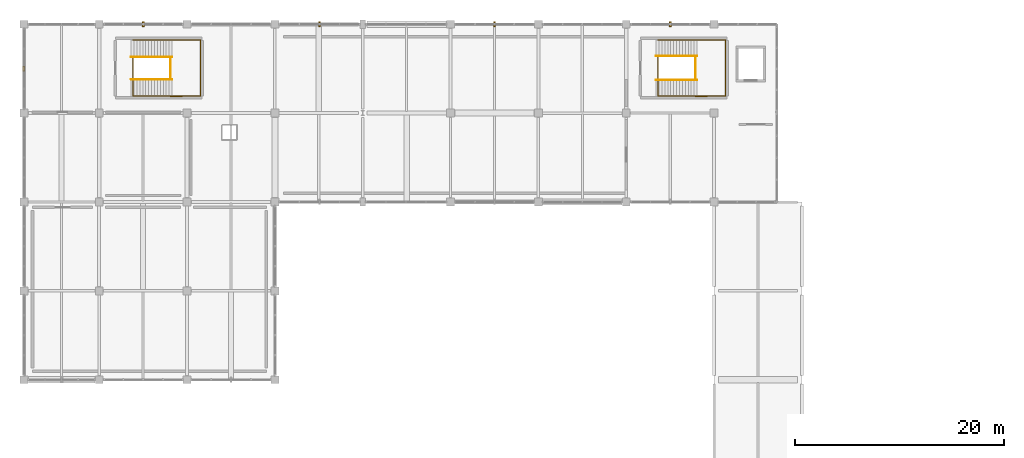
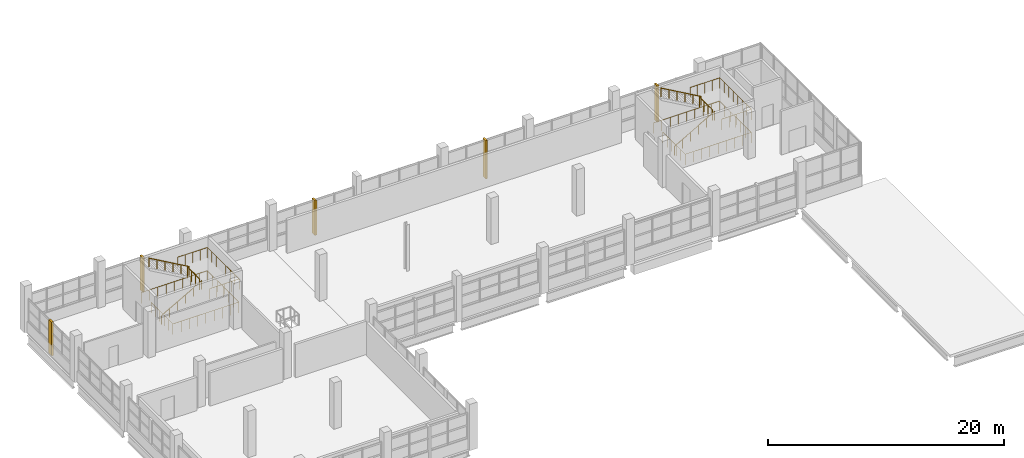
# One storey, part 116 of 117: 10 railings, 5 coverings.
"""IFC4 building model written with IfcOpenShell, lengths in metres."""

from ifc_helpers import new_model, si_unit, direction, frame, origin, origin_2d, place, context, subcontext, project, spatial, rectangle, circle, extrude, material, layer, layer_set, type_object, element, save


model = new_model("IFC4")

# Units and contexts
model_context = context("Model", 3, precision=1e-05, world=origin(), true_north=direction((0.0, 1.0)))
body_context = subcontext(model_context, "Body", "Model", "MODEL_VIEW")
ifc_project = project(units=[si_unit("LENGTHUNIT", "METRE"), si_unit("AREAUNIT", "SQUARE_METRE"), si_unit("VOLUMEUNIT", "CUBIC_METRE"), si_unit("PLANEANGLEUNIT", "RADIAN"), si_unit("MASSUNIT", "GRAM", prefix="KILO")], contexts=[model_context])

# Site, building, storey
site_placement = place(None, origin())
site = spatial("IfcSite", under=ifc_project, at=site_placement, CompositionType="ELEMENT")
building_placement = place(site_placement, origin())
building = spatial("IfcBuilding", under=site, at=building_placement, Name="Solvento Point Concert Hall", CompositionType="ELEMENT")
storey_placement = place(building_placement, frame((0.0, 0.0, 5.39990234375)))
storey = spatial("IfcBuildingStorey", under=building, at=storey_placement, Name="L01", CompositionType="ELEMENT", Elevation=5.39990234375)

# Coverings
ifc_material_1 = material(Name="Precast concrete C45/55", Category="concrete")
ifc_layer = layer(ifc_material_1, 0.179931640625)
ifc_layer_set = layer_set([ifc_layer], Name="Precast concrete C45/55")
covering_type = type_object("IfcCoveringType", Name="BriseSoleilFin_Precast", PredefinedType="CLADDING", material=ifc_layer_set)
covering_1_placement = place(storey_placement, frame((0.0, 131.75, 0.0), z_axis=(0.0, 0.0, 1.0), x_axis=(1.0, 0.0, 0.0)))
element("IfcCovering", 1, at=covering_1_placement, inside=storey, type_object=covering_type, Name="Precast concrete vertical solar fin BSF-01", PredefinedType="CLADDING", context=body_context, shape_type="SweptSolid", body=[
    extrude(rectangle(XDim=0.179931640625, YDim=0.47998046875, at=origin_2d()), origin(), (0.0, 0.0, 1.0), 3.488037109375),
])
covering_2_placement = place(storey_placement, frame((11.39990234375, 136.0, 0.000244140625), z_axis=(0.0, 0.0, 1.0), x_axis=(1.0, 0.0, 0.0)))
element("IfcCovering", 2, at=covering_2_placement, inside=storey, type_object=covering_type, Name="Precast concrete vertical solar fin BSF-01", PredefinedType="CLADDING", context=body_context, shape_type="SweptSolid", body=[
    extrude(rectangle(XDim=0.179931640625, YDim=0.47998046875, at=origin_2d()), origin(), (0.0, 0.0, 1.0), 3.5869140625),
])
covering_3_placement = place(storey_placement, frame((28.262451171875, 136.0, 0.0), z_axis=(0.0, 0.0, 1.0), x_axis=(1.0, 0.0, 0.0)))
element("IfcCovering", 3, at=covering_3_placement, inside=storey, type_object=covering_type, Name="Precast concrete vertical solar fin BSF-01", PredefinedType="CLADDING", context=body_context, shape_type="SweptSolid", body=[
    extrude(rectangle(XDim=0.179931640625, YDim=0.47998046875, at=origin_2d()), origin(), (0.0, 0.0, 1.0), 3.593994140625),
])
covering_4_placement = place(storey_placement, frame((45.0, 136.0, 0.0), z_axis=(0.0, 0.0, 1.0), x_axis=(1.0, 0.0, 0.0)))
element("IfcCovering", 4, at=covering_4_placement, inside=storey, type_object=covering_type, Name="Precast concrete vertical solar fin BSF-01", PredefinedType="CLADDING", context=body_context, shape_type="SweptSolid", body=[
    extrude(rectangle(XDim=0.179931640625, YDim=0.47998046875, at=origin_2d()), origin(), (0.0, 0.0, 1.0), 3.965087890625),
])
covering_5_placement = place(storey_placement, frame((61.800048828125, 136.0, 0.0), z_axis=(0.0, 0.0, 1.0), x_axis=(1.0, 0.0, 0.0)))
element("IfcCovering", 5, at=covering_5_placement, inside=storey, type_object=covering_type, Name="Precast concrete vertical solar fin BSF-01", PredefinedType="CLADDING", context=body_context, shape_type="SweptSolid", body=[
    extrude(rectangle(XDim=0.179931640625, YDim=0.47998046875, at=origin_2d()), origin(), (0.0, 0.0, 1.0), 3.743896484375),
])

# Railings
ifc_material_2 = material(Name="Brushed Stainless Steel Balustrade", Category="steel")
railing_type_1 = type_object("IfcRailingType", Name="StairHandrail_915", PredefinedType="HANDRAIL", material=ifc_material_2)
railing_1_placement = place(storey_placement, frame((60.449951171875, 130.64990234375, 0.16015625)))
element("IfcRailing", 6, at=railing_1_placement, inside=storey, type_object=railing_type_1, Name="Stair handrail HR-01 ST-04 L01 F1", PredefinedType="HANDRAIL", context=body_context, shape_type="SweptSolid", body=[
    extrude(circle(Radius=0.0224609375, at=origin_2d()), frame((0.0, 0.0, 0.892578125), z_axis=(0.86825312469, 0.0, 0.496121468458), x_axis=(0.0, 1.0, 0.0)), (0.0, 0.0, 1.0), 4.514892578125),
    extrude(circle(Radius=0.01904296875, at=origin_2d()), origin(), (0.0, 0.0, 1.0), 0.8701171875),
    extrude(circle(Radius=0.01904296875, at=origin_2d()), frame((0.783935546875, 0.0, 0.447998046875)), (0.0, 0.0, 1.0), 0.8701171875),
    extrude(circle(Radius=0.01904296875, at=origin_2d()), frame((1.568115234375, 0.0, 0.89599609375)), (0.0, 0.0, 1.0), 0.8701171875),
    extrude(circle(Radius=0.01904296875, at=origin_2d()), frame((2.35205078125, 0.0, 1.343994140625)), (0.0, 0.0, 1.0), 0.8701171875),
    extrude(circle(Radius=0.01904296875, at=origin_2d()), frame((3.13623046875, 0.0, 1.7919921875)), (0.0, 0.0, 1.0), 0.8701171875),
    extrude(circle(Radius=0.01904296875, at=origin_2d()), frame((3.920166015625, 0.0, 2.239990234375)), (0.0, 0.0, 1.0), 0.8701171875),
])
railing_2_placement = place(storey_placement, frame((64.3701171875, 132.949951171875, 2.56005859375)))
element("IfcRailing", 7, at=railing_2_placement, inside=storey, type_object=railing_type_1, Name="Stair handrail HR-01 ST-04 L01 F2", PredefinedType="HANDRAIL", context=body_context, shape_type="SweptSolid", body=[
    extrude(circle(Radius=0.0224609375, at=origin_2d()), frame((0.0, 0.0, 0.892578125), z_axis=(-0.86825312469, 0.0, 0.496121468458), x_axis=(0.0, -1.0, 0.0)), (0.0, 0.0, 1.0), 4.514892578125),
    extrude(circle(Radius=0.01904296875, at=origin_2d()), origin(), (0.0, 0.0, 1.0), 0.8701171875),
    extrude(circle(Radius=0.01904296875, at=origin_2d()), frame((-0.783935546875, 0.0, 0.447998046875)), (0.0, 0.0, 1.0), 0.8701171875),
    extrude(circle(Radius=0.01904296875, at=origin_2d()), frame((-1.568115234375, 0.0, 0.89599609375)), (0.0, 0.0, 1.0), 0.8701171875),
    extrude(circle(Radius=0.01904296875, at=origin_2d()), frame((-2.35205078125, 0.0, 1.343994140625)), (0.0, 0.0, 1.0), 0.8701171875),
    extrude(circle(Radius=0.01904296875, at=origin_2d()), frame((-3.13623046875, 0.0, 1.7919921875)), (0.0, 0.0, 1.0), 0.8701171875),
    extrude(circle(Radius=0.01904296875, at=origin_2d()), frame((-3.920166015625, 0.0, 2.239990234375)), (0.0, 0.0, 1.0), 0.8701171875),
])
railing_3_placement = place(storey_placement, frame((10.25, 130.72998046875, 0.16015625)))
element("IfcRailing", 8, at=railing_3_placement, inside=storey, type_object=railing_type_1, Name="Stair handrail HR-01 ST-05 L01 F1", PredefinedType="HANDRAIL", context=body_context, shape_type="SweptSolid", body=[
    extrude(circle(Radius=0.0224609375, at=origin_2d()), frame((0.0, 0.0, 0.892578125), z_axis=(0.868239814368, 0.0, 0.496144761885), x_axis=(0.0, 1.0, 0.0)), (0.0, 0.0, 1.0), 4.514892578125),
    extrude(circle(Radius=0.01904296875, at=origin_2d()), origin(), (0.0, 0.0, 1.0), 0.8701171875),
    extrude(circle(Radius=0.01904296875, at=origin_2d()), frame((0.783935546875, 0.0, 0.447998046875)), (0.0, 0.0, 1.0), 0.8701171875),
    extrude(circle(Radius=0.01904296875, at=origin_2d()), frame((1.56787109375, 0.0, 0.89599609375)), (0.0, 0.0, 1.0), 0.8701171875),
    extrude(circle(Radius=0.01904296875, at=origin_2d()), frame((2.35205078125, 0.0, 1.343994140625)), (0.0, 0.0, 1.0), 0.8701171875),
    extrude(circle(Radius=0.01904296875, at=origin_2d()), frame((3.135986328125, 0.0, 1.7919921875)), (0.0, 0.0, 1.0), 0.8701171875),
    extrude(circle(Radius=0.01904296875, at=origin_2d()), frame((3.919921875, 0.0, 2.239990234375)), (0.0, 0.0, 1.0), 0.8701171875),
])
railing_4_placement = place(storey_placement, frame((14.169921875, 132.8701171875, 2.56005859375)))
element("IfcRailing", 9, at=railing_4_placement, inside=storey, type_object=railing_type_1, Name="Stair handrail HR-01 ST-05 L01 F2", PredefinedType="HANDRAIL", context=body_context, shape_type="SweptSolid", body=[
    extrude(circle(Radius=0.0224609375, at=origin_2d()), frame((0.0, 0.0, 0.892578125), z_axis=(-0.868239814368, 0.0, 0.496144761885), x_axis=(0.0, -1.0, 0.0)), (0.0, 0.0, 1.0), 4.514892578125),
    extrude(circle(Radius=0.01904296875, at=origin_2d()), origin(), (0.0, 0.0, 1.0), 0.8701171875),
    extrude(circle(Radius=0.01904296875, at=origin_2d()), frame((-0.783935546875, 0.0, 0.447998046875)), (0.0, 0.0, 1.0), 0.8701171875),
    extrude(circle(Radius=0.01904296875, at=origin_2d()), frame((-1.56787109375, 0.0, 0.89599609375)), (0.0, 0.0, 1.0), 0.8701171875),
    extrude(circle(Radius=0.01904296875, at=origin_2d()), frame((-2.35205078125, 0.0, 1.343994140625)), (0.0, 0.0, 1.0), 0.8701171875),
    extrude(circle(Radius=0.01904296875, at=origin_2d()), frame((-3.135986328125, 0.0, 1.7919921875)), (0.0, 0.0, 1.0), 0.8701171875),
    extrude(circle(Radius=0.01904296875, at=origin_2d()), frame((-3.919921875, 0.0, 2.239990234375)), (0.0, 0.0, 1.0), 0.8701171875),
])
ifc_material_3 = material(Name="Brushed Stainless Steel Balustrade", Category="steel")
railing_type_2 = type_object("IfcRailingType", Name="StairWellGuard_1100", PredefinedType="BALUSTRADE", material=ifc_material_3)
railing_5_placement = place(storey_placement, frame((60.6201171875, 132.89990234375, 0.0)))
element("IfcRailing", 10, at=railing_5_placement, inside=storey, type_object=railing_type_2, Name="Stairwell guard GR-02 ST-04 L01", PredefinedType="BALUSTRADE", context=body_context, shape_type="SweptSolid", body=[
    extrude(circle(Radius=0.02392578125, at=origin_2d()), frame((0.0, 0.0, 1.09619140625), z_axis=(0.0, -1.0, 0.0), x_axis=(1.0, 0.0, 0.0)), (0.0, 0.0, 1.0), 3.77978515625),
    extrude(circle(Radius=0.02392578125, at=origin_2d()), frame((0.0, -3.77978515625, 1.09619140625), z_axis=(1.0, 0.0, 0.0), x_axis=(0.0, 1.0, 0.0)), (0.0, 0.0, 1.0), 6.4599609375),
    extrude(circle(Radius=0.02392578125, at=origin_2d()), frame((6.4599609375, -3.77978515625, 1.09619140625), z_axis=(0.0, 1.0, 0.0), x_axis=(-1.0, 0.0, 0.0)), (0.0, 0.0, 1.0), 5.35986328125),
    extrude(circle(Radius=0.02392578125, at=origin_2d()), frame((6.4599609375, 1.580078125, 1.09619140625), z_axis=(-1.0, 0.0, 0.0), x_axis=(0.0, -1.0, 0.0)), (0.0, 0.0, 1.0), 6.4599609375),
    extrude(circle(Radius=0.02392578125, at=origin_2d()), frame((0.0, 1.580078125, 1.09619140625), z_axis=(0.0, 1.0, 0.0), x_axis=(-1.0, 0.0, 0.0)), (0.0, 0.0, 1.0), 0.02001953125),
    extrude(circle(Radius=0.02099609375, at=origin_2d()), origin(), (0.0, 0.0, 1.0), 1.072021484375),
    extrude(circle(Radius=0.02099609375, at=origin_2d()), frame((0.0, -0.755859375, 0.0)), (0.0, 0.0, 1.0), 1.072021484375),
    extrude(circle(Radius=0.02099609375, at=origin_2d()), frame((0.0, -1.511962890625, 0.0)), (0.0, 0.0, 1.0), 1.072021484375),
    extrude(circle(Radius=0.02099609375, at=origin_2d()), frame((0.0, -2.267822265625, 0.0)), (0.0, 0.0, 1.0), 1.072021484375),
    extrude(circle(Radius=0.02099609375, at=origin_2d()), frame((0.0, -3.02392578125, 0.0)), (0.0, 0.0, 1.0), 1.072021484375),
    extrude(circle(Radius=0.02099609375, at=origin_2d()), frame((0.0, -3.77978515625, 0.0)), (0.0, 0.0, 1.0), 1.072021484375),
    extrude(circle(Radius=0.02099609375, at=origin_2d()), frame((0.8076171875, -3.77978515625, 0.0)), (0.0, 0.0, 1.0), 1.072021484375),
    extrude(circle(Radius=0.02099609375, at=origin_2d()), frame((1.614990234375, -3.77978515625, 0.0)), (0.0, 0.0, 1.0), 1.072021484375),
    extrude(circle(Radius=0.02099609375, at=origin_2d()), frame((2.42236328125, -3.77978515625, 0.0)), (0.0, 0.0, 1.0), 1.072021484375),
    extrude(circle(Radius=0.02099609375, at=origin_2d()), frame((3.22998046875, -3.77978515625, 0.0)), (0.0, 0.0, 1.0), 1.072021484375),
    extrude(circle(Radius=0.02099609375, at=origin_2d()), frame((4.03759765625, -3.77978515625, 0.0)), (0.0, 0.0, 1.0), 1.072021484375),
    extrude(circle(Radius=0.02099609375, at=origin_2d()), frame((4.844970703125, -3.77978515625, 0.0)), (0.0, 0.0, 1.0), 1.072021484375),
    extrude(circle(Radius=0.02099609375, at=origin_2d()), frame((5.65234375, -3.77978515625, 0.0)), (0.0, 0.0, 1.0), 1.072021484375),
    extrude(circle(Radius=0.02099609375, at=origin_2d()), frame((6.4599609375, -3.77978515625, 0.0)), (0.0, 0.0, 1.0), 1.072021484375),
    extrude(circle(Radius=0.02099609375, at=origin_2d()), frame((6.4599609375, -2.886474609375, 0.0)), (0.0, 0.0, 1.0), 1.072021484375),
    extrude(circle(Radius=0.02099609375, at=origin_2d()), frame((6.4599609375, -1.9931640625, 0.0)), (0.0, 0.0, 1.0), 1.072021484375),
    extrude(circle(Radius=0.02099609375, at=origin_2d()), frame((6.4599609375, -1.099853515625, 0.0)), (0.0, 0.0, 1.0), 1.072021484375),
    extrude(circle(Radius=0.02099609375, at=origin_2d()), frame((6.4599609375, -0.20654296875, 0.0)), (0.0, 0.0, 1.0), 1.072021484375),
    extrude(circle(Radius=0.02099609375, at=origin_2d()), frame((6.4599609375, 0.686767578125, 0.0)), (0.0, 0.0, 1.0), 1.072021484375),
    extrude(circle(Radius=0.02099609375, at=origin_2d()), frame((6.4599609375, 1.580078125, 0.0)), (0.0, 0.0, 1.0), 1.072021484375),
    extrude(circle(Radius=0.02099609375, at=origin_2d()), frame((5.65234375, 1.580078125, 0.0)), (0.0, 0.0, 1.0), 1.072021484375),
    extrude(circle(Radius=0.02099609375, at=origin_2d()), frame((4.844970703125, 1.580078125, 0.0)), (0.0, 0.0, 1.0), 1.072021484375),
    extrude(circle(Radius=0.02099609375, at=origin_2d()), frame((4.03759765625, 1.580078125, 0.0)), (0.0, 0.0, 1.0), 1.072021484375),
    extrude(circle(Radius=0.02099609375, at=origin_2d()), frame((3.22998046875, 1.580078125, 0.0)), (0.0, 0.0, 1.0), 1.072021484375),
    extrude(circle(Radius=0.02099609375, at=origin_2d()), frame((2.42236328125, 1.580078125, 0.0)), (0.0, 0.0, 1.0), 1.072021484375),
    extrude(circle(Radius=0.02099609375, at=origin_2d()), frame((1.614990234375, 1.580078125, 0.0)), (0.0, 0.0, 1.0), 1.072021484375),
    extrude(circle(Radius=0.02099609375, at=origin_2d()), frame((0.8076171875, 1.580078125, 0.0)), (0.0, 0.0, 1.0), 1.072021484375),
    extrude(circle(Radius=0.02099609375, at=origin_2d()), frame((0.0, 1.580078125, 0.0)), (0.0, 0.0, 1.0), 1.072021484375),
    extrude(circle(Radius=0.02099609375, at=origin_2d()), frame((0.0, 1.60009765625, 0.0)), (0.0, 0.0, 1.0), 1.072021484375),
])
railing_6_placement = place(storey_placement, frame((64.199951171875, 129.10009765625, 2.400146484375)))
element("IfcRailing", 11, at=railing_6_placement, inside=storey, type_object=railing_type_2, Name="Half-landing perimeter guard GR-02 ST-04 L01", PredefinedType="BALUSTRADE", context=body_context, shape_type="SweptSolid", body=[
    extrude(circle(Radius=0.02392578125, at=origin_2d()), frame((0.0, 0.0, 1.09619140625), z_axis=(0.999976175575, 0.006902773499, 0.0), x_axis=(-0.006902773499, 0.999976175575, 0.0)), (0.0, 0.0, 1.0), 2.900146484375),
    extrude(circle(Radius=0.02392578125, at=origin_2d()), frame((2.900146484375, 0.02001953125, 1.09619140625), z_axis=(0.0, 1.0, 0.0), x_axis=(-1.0, 0.0, 0.0)), (0.0, 0.0, 1.0), 5.35986328125),
    extrude(circle(Radius=0.02392578125, at=origin_2d()), frame((2.900146484375, 5.3798828125, 1.09619140625), z_axis=(-0.999976175575, 0.006902773499, 0.0), x_axis=(-0.006902773499, -0.999976175575, 0.0)), (0.0, 0.0, 1.0), 2.900146484375),
    extrude(circle(Radius=0.02099609375, at=origin_2d()), origin(), (0.0, 0.0, 1.0), 1.072021484375),
    extrude(circle(Radius=0.02099609375, at=origin_2d()), frame((0.72509765625, 0.0048828125, 0.0)), (0.0, 0.0, 1.0), 1.072021484375),
    extrude(circle(Radius=0.02099609375, at=origin_2d()), frame((1.4501953125, 0.010009765625, 0.0)), (0.0, 0.0, 1.0), 1.072021484375),
    extrude(circle(Radius=0.02099609375, at=origin_2d()), frame((2.175048828125, 0.01513671875, 0.0)), (0.0, 0.0, 1.0), 1.072021484375),
    extrude(circle(Radius=0.02099609375, at=origin_2d()), frame((2.900146484375, 0.02001953125, 0.0)), (0.0, 0.0, 1.0), 1.072021484375),
    extrude(circle(Radius=0.02099609375, at=origin_2d()), frame((2.900146484375, 0.78564453125, 0.0)), (0.0, 0.0, 1.0), 1.072021484375),
    extrude(circle(Radius=0.02099609375, at=origin_2d()), frame((2.900146484375, 1.551513671875, 0.0)), (0.0, 0.0, 1.0), 1.072021484375),
    extrude(circle(Radius=0.02099609375, at=origin_2d()), frame((2.900146484375, 2.317138671875, 0.0)), (0.0, 0.0, 1.0), 1.072021484375),
    extrude(circle(Radius=0.02099609375, at=origin_2d()), frame((2.900146484375, 3.082763671875, 0.0)), (0.0, 0.0, 1.0), 1.072021484375),
    extrude(circle(Radius=0.02099609375, at=origin_2d()), frame((2.900146484375, 3.848388671875, 0.0)), (0.0, 0.0, 1.0), 1.072021484375),
    extrude(circle(Radius=0.02099609375, at=origin_2d()), frame((2.900146484375, 4.6142578125, 0.0)), (0.0, 0.0, 1.0), 1.072021484375),
    extrude(circle(Radius=0.02099609375, at=origin_2d()), frame((2.900146484375, 5.3798828125, 0.0)), (0.0, 0.0, 1.0), 1.072021484375),
    extrude(circle(Radius=0.02099609375, at=origin_2d()), frame((2.175048828125, 5.384765625, 0.0)), (0.0, 0.0, 1.0), 1.072021484375),
    extrude(circle(Radius=0.02099609375, at=origin_2d()), frame((1.4501953125, 5.389892578125, 0.0)), (0.0, 0.0, 1.0), 1.072021484375),
    extrude(circle(Radius=0.02099609375, at=origin_2d()), frame((0.72509765625, 5.39501953125, 0.0)), (0.0, 0.0, 1.0), 1.072021484375),
    extrude(circle(Radius=0.02099609375, at=origin_2d()), frame((0.0, 5.39990234375, 0.0)), (0.0, 0.0, 1.0), 1.072021484375),
])
railing_7_placement = place(storey_placement, frame((64.199951171875, 130.699951171875, 2.400146484375)))
element("IfcRailing", 12, at=railing_7_placement, inside=storey, type_object=railing_type_2, Name="Half-landing slot guard GR-02 ST-04 L01", PredefinedType="BALUSTRADE", context=body_context, shape_type="SweptSolid", body=[
    extrude(circle(Radius=0.02392578125, at=origin_2d()), frame((0.0, 0.0, 1.09619140625), z_axis=(0.0, 1.0, 0.0), x_axis=(-1.0, 0.0, 0.0)), (0.0, 0.0, 1.0), 2.199951171875),
    extrude(circle(Radius=0.02099609375, at=origin_2d()), origin(), (0.0, 0.0, 1.0), 1.072021484375),
    extrude(circle(Radius=0.02099609375, at=origin_2d()), frame((0.0, 0.7333984375, 0.0)), (0.0, 0.0, 1.0), 1.072021484375),
    extrude(circle(Radius=0.02099609375, at=origin_2d()), frame((0.0, 1.466552734375, 0.0)), (0.0, 0.0, 1.0), 1.072021484375),
    extrude(circle(Radius=0.02099609375, at=origin_2d()), frame((0.0, 2.199951171875, 0.0)), (0.0, 0.0, 1.0), 1.072021484375),
])
railing_8_placement = place(storey_placement, frame((10.419921875, 132.820068359375, 0.0)))
element("IfcRailing", 13, at=railing_8_placement, inside=storey, type_object=railing_type_2, Name="Stairwell guard GR-02 ST-05 L01", PredefinedType="BALUSTRADE", context=body_context, shape_type="SweptSolid", body=[
    extrude(circle(Radius=0.02392578125, at=origin_2d()), frame((0.0, 0.0, 1.09619140625), z_axis=(0.0, -1.0, 0.0), x_axis=(1.0, 0.0, 0.0)), (0.0, 0.0, 1.0), 3.699951171875),
    extrude(circle(Radius=0.02392578125, at=origin_2d()), frame((0.0, -3.699951171875, 1.09619140625), z_axis=(1.0, 0.0, 0.0), x_axis=(0.0, 1.0, 0.0)), (0.0, 0.0, 1.0), 6.4599609375),
    extrude(circle(Radius=0.02392578125, at=origin_2d()), frame((6.4599609375, -3.699951171875, 1.09619140625), z_axis=(0.0, 1.0, 0.0), x_axis=(-1.0, 0.0, 0.0)), (0.0, 0.0, 1.0), 5.35986328125),
    extrude(circle(Radius=0.02392578125, at=origin_2d()), frame((6.4599609375, 1.659912109375, 1.09619140625), z_axis=(-1.0, 0.0, 0.0), x_axis=(0.0, -1.0, 0.0)), (0.0, 0.0, 1.0), 6.4599609375),
    extrude(circle(Radius=0.02392578125, at=origin_2d()), frame((0.0, 1.659912109375, 1.09619140625), z_axis=(0.0, 1.0, 0.0), x_axis=(-1.0, 0.0, 0.0)), (0.0, 0.0, 1.0), 0.02001953125),
    extrude(circle(Radius=0.02099609375, at=origin_2d()), origin(), (0.0, 0.0, 1.0), 1.072021484375),
    extrude(circle(Radius=0.02099609375, at=origin_2d()), frame((0.0, -0.739990234375, 0.0)), (0.0, 0.0, 1.0), 1.072021484375),
    extrude(circle(Radius=0.02099609375, at=origin_2d()), frame((0.0, -1.47998046875, 0.0)), (0.0, 0.0, 1.0), 1.072021484375),
    extrude(circle(Radius=0.02099609375, at=origin_2d()), frame((0.0, -2.219970703125, 0.0)), (0.0, 0.0, 1.0), 1.072021484375),
    extrude(circle(Radius=0.02099609375, at=origin_2d()), frame((0.0, -2.9599609375, 0.0)), (0.0, 0.0, 1.0), 1.072021484375),
    extrude(circle(Radius=0.02099609375, at=origin_2d()), frame((0.0, -3.699951171875, 0.0)), (0.0, 0.0, 1.0), 1.072021484375),
    extrude(circle(Radius=0.02099609375, at=origin_2d()), frame((0.8076171875, -3.699951171875, 0.0)), (0.0, 0.0, 1.0), 1.072021484375),
    extrude(circle(Radius=0.02099609375, at=origin_2d()), frame((1.614990234375, -3.699951171875, 0.0)), (0.0, 0.0, 1.0), 1.072021484375),
    extrude(circle(Radius=0.02099609375, at=origin_2d()), frame((2.42236328125, -3.699951171875, 0.0)), (0.0, 0.0, 1.0), 1.072021484375),
    extrude(circle(Radius=0.02099609375, at=origin_2d()), frame((3.22998046875, -3.699951171875, 0.0)), (0.0, 0.0, 1.0), 1.072021484375),
    extrude(circle(Radius=0.02099609375, at=origin_2d()), frame((4.03759765625, -3.699951171875, 0.0)), (0.0, 0.0, 1.0), 1.072021484375),
    extrude(circle(Radius=0.02099609375, at=origin_2d()), frame((4.844970703125, -3.699951171875, 0.0)), (0.0, 0.0, 1.0), 1.072021484375),
    extrude(circle(Radius=0.02099609375, at=origin_2d()), frame((5.65234375, -3.699951171875, 0.0)), (0.0, 0.0, 1.0), 1.072021484375),
    extrude(circle(Radius=0.02099609375, at=origin_2d()), frame((6.4599609375, -3.699951171875, 0.0)), (0.0, 0.0, 1.0), 1.072021484375),
    extrude(circle(Radius=0.02099609375, at=origin_2d()), frame((6.4599609375, -2.806640625, 0.0)), (0.0, 0.0, 1.0), 1.072021484375),
    extrude(circle(Radius=0.02099609375, at=origin_2d()), frame((6.4599609375, -1.913330078125, 0.0)), (0.0, 0.0, 1.0), 1.072021484375),
    extrude(circle(Radius=0.02099609375, at=origin_2d()), frame((6.4599609375, -1.02001953125, 0.0)), (0.0, 0.0, 1.0), 1.072021484375),
    extrude(circle(Radius=0.02099609375, at=origin_2d()), frame((6.4599609375, -0.126708984375, 0.0)), (0.0, 0.0, 1.0), 1.072021484375),
    extrude(circle(Radius=0.02099609375, at=origin_2d()), frame((6.4599609375, 0.7666015625, 0.0)), (0.0, 0.0, 1.0), 1.072021484375),
    extrude(circle(Radius=0.02099609375, at=origin_2d()), frame((6.4599609375, 1.659912109375, 0.0)), (0.0, 0.0, 1.0), 1.072021484375),
    extrude(circle(Radius=0.02099609375, at=origin_2d()), frame((5.65234375, 1.659912109375, 0.0)), (0.0, 0.0, 1.0), 1.072021484375),
    extrude(circle(Radius=0.02099609375, at=origin_2d()), frame((4.844970703125, 1.659912109375, 0.0)), (0.0, 0.0, 1.0), 1.072021484375),
    extrude(circle(Radius=0.02099609375, at=origin_2d()), frame((4.03759765625, 1.659912109375, 0.0)), (0.0, 0.0, 1.0), 1.072021484375),
    extrude(circle(Radius=0.02099609375, at=origin_2d()), frame((3.22998046875, 1.659912109375, 0.0)), (0.0, 0.0, 1.0), 1.072021484375),
    extrude(circle(Radius=0.02099609375, at=origin_2d()), frame((2.42236328125, 1.659912109375, 0.0)), (0.0, 0.0, 1.0), 1.072021484375),
    extrude(circle(Radius=0.02099609375, at=origin_2d()), frame((1.614990234375, 1.659912109375, 0.0)), (0.0, 0.0, 1.0), 1.072021484375),
    extrude(circle(Radius=0.02099609375, at=origin_2d()), frame((0.8076171875, 1.659912109375, 0.0)), (0.0, 0.0, 1.0), 1.072021484375),
    extrude(circle(Radius=0.02099609375, at=origin_2d()), frame((0.0, 1.659912109375, 0.0)), (0.0, 0.0, 1.0), 1.072021484375),
    extrude(circle(Radius=0.02099609375, at=origin_2d()), frame((0.0, 1.679931640625, 0.0)), (0.0, 0.0, 1.0), 1.072021484375),
])
railing_9_placement = place(storey_placement, frame((14.0, 129.10009765625, 2.400146484375)))
element("IfcRailing", 14, at=railing_9_placement, inside=storey, type_object=railing_type_2, Name="Half-landing perimeter guard GR-02 ST-05 L01", PredefinedType="BALUSTRADE", context=body_context, shape_type="SweptSolid", body=[
    extrude(circle(Radius=0.02392578125, at=origin_2d()), frame((0.0, 0.0, 1.09619140625), z_axis=(0.999976171564, 0.006903354611, 0.0), x_axis=(-0.006903354611, 0.999976171564, 0.0)), (0.0, 0.0, 1.0), 2.89990234375),
    extrude(circle(Radius=0.02392578125, at=origin_2d()), frame((2.89990234375, 0.02001953125, 1.09619140625), z_axis=(0.0, 1.0, 0.0), x_axis=(-1.0, 0.0, 0.0)), (0.0, 0.0, 1.0), 5.35986328125),
    extrude(circle(Radius=0.02392578125, at=origin_2d()), frame((2.89990234375, 5.3798828125, 1.09619140625), z_axis=(-0.999976171564, 0.006903354611, 0.0), x_axis=(-0.006903354611, -0.999976171564, 0.0)), (0.0, 0.0, 1.0), 2.89990234375),
    extrude(circle(Radius=0.02099609375, at=origin_2d()), origin(), (0.0, 0.0, 1.0), 1.072021484375),
    extrude(circle(Radius=0.02099609375, at=origin_2d()), frame((0.72509765625, 0.0048828125, 0.0)), (0.0, 0.0, 1.0), 1.072021484375),
    extrude(circle(Radius=0.02099609375, at=origin_2d()), frame((1.449951171875, 0.010009765625, 0.0)), (0.0, 0.0, 1.0), 1.072021484375),
    extrude(circle(Radius=0.02099609375, at=origin_2d()), frame((2.1748046875, 0.01513671875, 0.0)), (0.0, 0.0, 1.0), 1.072021484375),
    extrude(circle(Radius=0.02099609375, at=origin_2d()), frame((2.89990234375, 0.02001953125, 0.0)), (0.0, 0.0, 1.0), 1.072021484375),
    extrude(circle(Radius=0.02099609375, at=origin_2d()), frame((2.89990234375, 0.78564453125, 0.0)), (0.0, 0.0, 1.0), 1.072021484375),
    extrude(circle(Radius=0.02099609375, at=origin_2d()), frame((2.89990234375, 1.551513671875, 0.0)), (0.0, 0.0, 1.0), 1.072021484375),
    extrude(circle(Radius=0.02099609375, at=origin_2d()), frame((2.89990234375, 2.317138671875, 0.0)), (0.0, 0.0, 1.0), 1.072021484375),
    extrude(circle(Radius=0.02099609375, at=origin_2d()), frame((2.89990234375, 3.082763671875, 0.0)), (0.0, 0.0, 1.0), 1.072021484375),
    extrude(circle(Radius=0.02099609375, at=origin_2d()), frame((2.89990234375, 3.848388671875, 0.0)), (0.0, 0.0, 1.0), 1.072021484375),
    extrude(circle(Radius=0.02099609375, at=origin_2d()), frame((2.89990234375, 4.6142578125, 0.0)), (0.0, 0.0, 1.0), 1.072021484375),
    extrude(circle(Radius=0.02099609375, at=origin_2d()), frame((2.89990234375, 5.3798828125, 0.0)), (0.0, 0.0, 1.0), 1.072021484375),
    extrude(circle(Radius=0.02099609375, at=origin_2d()), frame((2.1748046875, 5.384765625, 0.0)), (0.0, 0.0, 1.0), 1.072021484375),
    extrude(circle(Radius=0.02099609375, at=origin_2d()), frame((1.449951171875, 5.389892578125, 0.0)), (0.0, 0.0, 1.0), 1.072021484375),
    extrude(circle(Radius=0.02099609375, at=origin_2d()), frame((0.72509765625, 5.39501953125, 0.0)), (0.0, 0.0, 1.0), 1.072021484375),
    extrude(circle(Radius=0.02099609375, at=origin_2d()), frame((0.0, 5.39990234375, 0.0)), (0.0, 0.0, 1.0), 1.072021484375),
])
railing_10_placement = place(storey_placement, frame((14.0, 130.780029296875, 2.400146484375)))
element("IfcRailing", 15, at=railing_10_placement, inside=storey, type_object=railing_type_2, Name="Half-landing slot guard GR-02 ST-05 L01", PredefinedType="BALUSTRADE", context=body_context, shape_type="SweptSolid", body=[
    extrude(circle(Radius=0.02392578125, at=origin_2d()), frame((0.0, 0.0, 1.09619140625), z_axis=(0.0, 1.0, 0.0), x_axis=(-1.0, 0.0, 0.0)), (0.0, 0.0, 1.0), 2.0400390625),
    extrude(circle(Radius=0.02099609375, at=origin_2d()), origin(), (0.0, 0.0, 1.0), 1.072021484375),
    extrude(circle(Radius=0.02099609375, at=origin_2d()), frame((0.0, 0.679931640625, 0.0)), (0.0, 0.0, 1.0), 1.072021484375),
    extrude(circle(Radius=0.02099609375, at=origin_2d()), frame((0.0, 1.360107421875, 0.0)), (0.0, 0.0, 1.0), 1.072021484375),
    extrude(circle(Radius=0.02099609375, at=origin_2d()), frame((0.0, 2.0400390625, 0.0)), (0.0, 0.0, 1.0), 1.072021484375),
])

save(model, "model.ifc")
